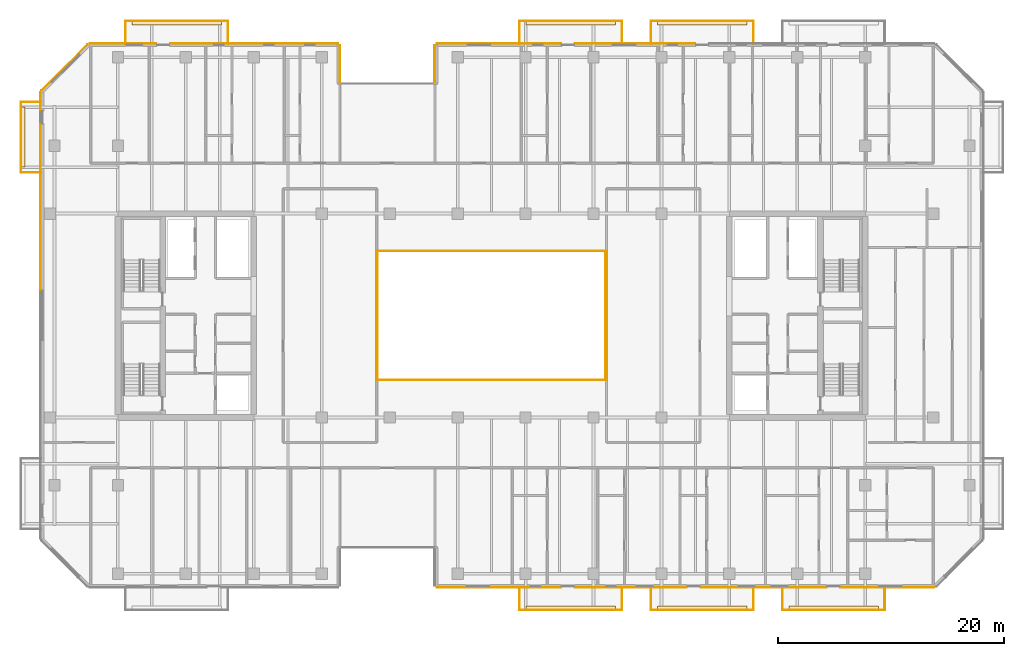
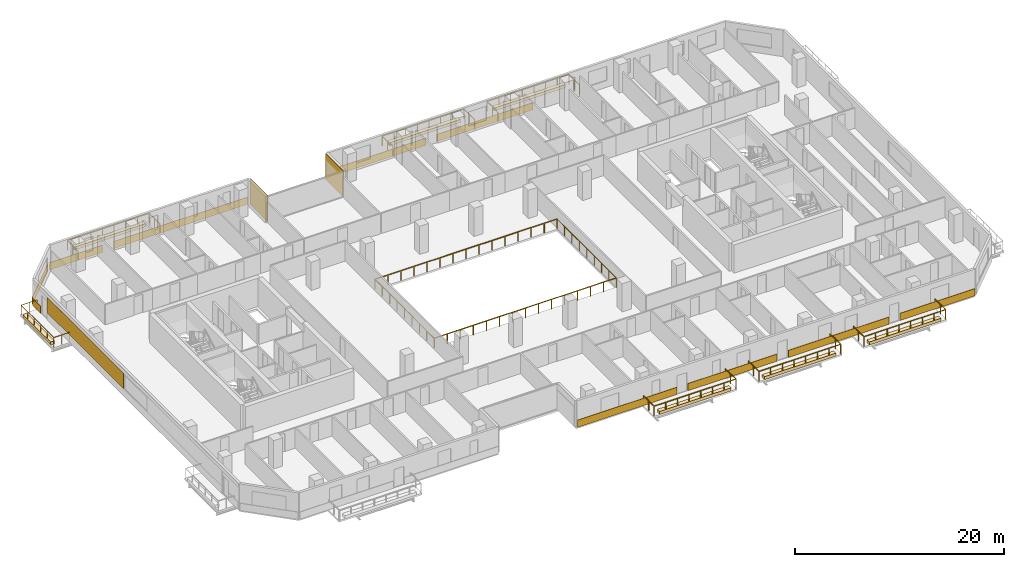
# One storey, part 21 of 23: 20 coverings, 9 railings.
"""IFC4 building model written with IfcOpenShell, lengths in metres."""

from ifc_helpers import new_model, si_unit, direction, frame, origin, origin_2d, place, context, subcontext, project, spatial, polyline, rectangle, outline, extrude, material, layer, layer_set, type_object, element, save


model = new_model("IFC4")

# Units and contexts
model_context = context("Model", 3, precision=1e-05, world=origin(), true_north=direction((0.0, 1.0)))
body_context = subcontext(model_context, "Body", "Model", "MODEL_VIEW")
ifc_project = project(units=[si_unit("LENGTHUNIT", "METRE"), si_unit("AREAUNIT", "SQUARE_METRE"), si_unit("VOLUMEUNIT", "CUBIC_METRE"), si_unit("PLANEANGLEUNIT", "RADIAN"), si_unit("MASSUNIT", "GRAM", prefix="KILO")], contexts=[model_context])

# Site, building, storey
site_placement = place(None, origin())
site = spatial("IfcSite", under=ifc_project, at=site_placement, CompositionType="ELEMENT")
building_placement = place(site_placement, origin())
building = spatial("IfcBuilding", under=site, at=building_placement, Name="Tanjung Sevakor Pilgrim Tower", CompositionType="ELEMENT")
storey_placement = place(building_placement, frame((0.0, 0.0, 101.969970703125)))
storey = spatial("IfcBuildingStorey", under=building, at=storey_placement, Name="L28", CompositionType="ELEMENT", Elevation=101.969970703125)

# Coverings
ifc_material_1 = material(Name="Reconstructed Limestone Cladding", Category="masonry")
ifc_layer_1 = layer(ifc_material_1, 0.044921875)
ifc_layer_set_1 = layer_set([ifc_layer_1], Name="COV-CLAD-LIMESTONE")
covering_type_1 = type_object("IfcCoveringType", Name="COV-CLAD-LIMESTONE", PredefinedType="CLADDING", material=ifc_layer_set_1)
covering_1_placement = place(storey_placement, frame((57.652587890625, 9.577392578125, 0.009765625), z_axis=(0.0, 0.0, 1.0), x_axis=(1.0, 0.0, 0.0)))
element("IfcCovering", 1, at=covering_1_placement, inside=storey, type_object=covering_type_1, Name="L28 Warm Limestone Sill Spandrel EW-L28-MAIN-5-1", PredefinedType="CLADDING", context=body_context, shape_type="SweptSolid", body=[
    extrude(rectangle(XDim=10.97509765625, YDim=0.044921875, at=origin_2d()), origin(), (0.0, 0.0, 1.0), 0.840087890625),
])
covering_2_placement = place(storey_placement, frame((69.300048828125, 9.577392578125, 0.009765625), z_axis=(0.0, 0.0, 1.0), x_axis=(1.0, 0.0, 0.0)))
element("IfcCovering", 2, at=covering_2_placement, inside=storey, type_object=covering_type_1, Name="L28 Warm Limestone Sill Spandrel EW-L28-MAIN-5-2", PredefinedType="CLADDING", context=body_context, shape_type="SweptSolid", body=[
    extrude(rectangle(XDim=9.8798828125, YDim=0.044921875, at=origin_2d()), origin(), (0.0, 0.0, 1.0), 0.840087890625),
])
covering_3_placement = place(storey_placement, frame((81.02490234375, 9.577392578125, 0.009765625), z_axis=(0.0, 0.0, 1.0), x_axis=(1.0, 0.0, 0.0)))
element("IfcCovering", 3, at=covering_3_placement, inside=storey, type_object=covering_type_1, Name="L28 Warm Limestone Sill Spandrel EW-L28-MAIN-5-3", PredefinedType="CLADDING", context=body_context, shape_type="SweptSolid", body=[
    extrude(rectangle(XDim=11.1298828125, YDim=0.044921875, at=origin_2d()), origin(), (0.0, 0.0, 1.0), 0.840087890625),
])
covering_4_placement = place(storey_placement, frame((91.958984375, 9.577392578125, 0.009765625), z_axis=(0.0, 0.0, 1.0), x_axis=(1.0, 0.0, 0.0)))
element("IfcCovering", 4, at=covering_4_placement, inside=storey, type_object=covering_type_1, Name="L28 Warm Limestone Sill Spandrel EW-L28-MAIN-5-4", PredefinedType="CLADDING", context=body_context, shape_type="SweptSolid", body=[
    extrude(rectangle(XDim=8.298095703125, YDim=0.044921875, at=origin_2d()), origin(), (0.0, 0.0, 1.0), 0.840087890625),
])
covering_5_placement = place(storey_placement, frame((69.675048828125, 57.62255859375, 0.009765625), z_axis=(0.0, 0.0, 1.0), x_axis=(-1.0, 0.0, 0.0)))
element("IfcCovering", 5, at=covering_5_placement, inside=storey, type_object=covering_type_1, Name="L28 Warm Limestone Sill Spandrel EW-L28-MAIN-9-3", PredefinedType="CLADDING", context=body_context, shape_type="SweptSolid", body=[
    extrude(rectangle(XDim=10.6298828125, YDim=0.044921875, at=origin_2d()), origin(), (0.0, 0.0, 1.0), 0.840087890625),
])
covering_6_placement = place(storey_placement, frame((57.652587890625, 57.62255859375, 0.009765625), z_axis=(0.0, 0.0, 1.0), x_axis=(-1.0, 0.0, 0.0)))
element("IfcCovering", 6, at=covering_6_placement, inside=storey, type_object=covering_type_1, Name="L28 Warm Limestone Sill Spandrel EW-L28-MAIN-9-4", PredefinedType="CLADDING", context=body_context, shape_type="SweptSolid", body=[
    extrude(rectangle(XDim=10.97509765625, YDim=0.044921875, at=origin_2d()), origin(), (0.0, 0.0, 1.0), 0.840087890625),
])
for number, where, z_axis, x_axis, name in (
    (7, (51.9775390625, 55.77490234375, 0.02001953125), (0.0, 0.0, 1.0), (0.0, -1.0, 0.0), "L28 Warm Limestone Wall Cladding EW-L28-MAIN-10"),
    (8, (43.62255859375, 55.77490234375, 0.02001953125), (0.0, 0.0, 1.0), (0.0, 1.0, 0.0), "L28 Warm Limestone Wall Cladding EW-L28-MAIN-12"),
):
    element("IfcCovering", number, at=place(storey_placement, frame(where, z_axis=z_axis, x_axis=x_axis)), inside=storey, type_object=covering_type_1, Name=name, PredefinedType="CLADDING", context=body_context, shape_type="SweptSolid", body=[
        extrude(rectangle(XDim=3.360107421875, YDim=0.044921875, at=origin_2d()), origin(), (0.0, 0.0, 1.0), 3.0400390625),
    ])
covering_7_placement = place(storey_placement, frame((36.0224609375, 57.62255859375, 0.009765625), z_axis=(0.0, 0.0, 1.0), x_axis=(-1.0, 0.0, 0.0)))
element("IfcCovering", 9, at=covering_7_placement, inside=storey, type_object=covering_type_1, Name="L28 Warm Limestone Sill Spandrel EW-L28-MAIN-13-1", PredefinedType="CLADDING", context=body_context, shape_type="SweptSolid", body=[
    extrude(rectangle(XDim=14.824951171875, YDim=0.044921875, at=origin_2d()), origin(), (0.0, 0.0, 1.0), 0.840087890625),
])
covering_8_placement = place(storey_placement, frame((24.44091796875, 57.62255859375, 0.009765625), z_axis=(0.0, 0.0, 1.0), x_axis=(-1.0, 0.0, 0.0)))
element("IfcCovering", 10, at=covering_8_placement, inside=storey, type_object=covering_type_1, Name="L28 Warm Limestone Sill Spandrel EW-L28-MAIN-13-2", PredefinedType="CLADDING", context=body_context, shape_type="SweptSolid", body=[
    extrude(rectangle(XDim=5.898193359375, YDim=0.044921875, at=origin_2d()), origin(), (0.0, 0.0, 1.0), 0.840087890625),
])
covering_9_placement = place(storey_placement, frame((19.2841796875, 55.515869140625, 0.009765625), z_axis=(0.0, 0.0, 1.0), x_axis=(-0.707106781187, -0.707106781187, 0.0)))
element("IfcCovering", 11, at=covering_9_placement, inside=storey, type_object=covering_type_1, Name="L28 Warm Limestone Sill Spandrel EW-CHM-L28-MAIN-13-1", PredefinedType="CLADDING", context=body_context, shape_type="SweptSolid", body=[
    extrude(rectangle(XDim=5.756103515625, YDim=0.044921875, at=origin_2d()), origin(), (0.0, 0.0, 1.0), 0.840087890625),
])
covering_10_placement = place(storey_placement, frame((17.177490234375, 52.509033203125, 0.009765625), z_axis=(0.0, 0.0, 1.0), x_axis=(0.0, -1.0, 0.0)))
element("IfcCovering", 12, at=covering_10_placement, inside=storey, type_object=covering_type_1, Name="L28 Warm Limestone Sill Spandrel EW-L28-MAIN-15-1", PredefinedType="CLADDING", context=body_context, shape_type="SweptSolid", body=[
    extrude(rectangle(XDim=1.59814453125, YDim=0.044921875, at=origin_2d()), origin(), (0.0, 0.0, 1.0), 0.840087890625),
])
covering_11_placement = place(storey_placement, frame((17.177490234375, 43.175048828125, 0.85009765625), z_axis=(0.0, 0.0, 1.0), x_axis=(0.0, -1.0, 0.0)))
element("IfcCovering", 13, at=covering_11_placement, inside=storey, type_object=covering_type_1, Name="L28 Warm Limestone Pier Panel EW-L28-MAIN-15-1", PredefinedType="CLADDING", context=body_context, shape_type="SweptSolid", body=[
    extrude(rectangle(XDim=14.64990234375, YDim=0.044921875, at=origin_2d()), origin(), (0.0, 0.0, 1.0), 1.81005859375),
])
ifc_material_2 = material(Name="Vegetated Modular Planter Assembly", Category="organic")
ifc_layer_2 = layer(ifc_material_2, 0.35009765625)
ifc_layer_set_2 = layer_set([ifc_layer_2], Name="COV-GRN-TROUGH")
covering_type_2 = type_object("IfcCoveringType", Name="COV-GRN-TROUGH", PredefinedType="CLADDING", material=ifc_layer_set_2)
covering_12_placement = place(storey_placement, origin())
element("IfcCovering", 14, at=covering_12_placement, inside=storey, type_object=covering_type_2, Name="L28 Planted Landscape Hedge Trough BGRN-L28-MAIN-N1", PredefinedType="CLADDING", context=body_context, shape_type="SweptSolid", body=[
    extrude(outline(polyline([(25.25, 59.260009765625), (33.14990234375, 59.260009765625), (33.14990234375, 59.699951171875), (25.25, 59.699951171875), (25.25, 59.260009765625)])), origin(), (0.0, 0.0, 1.0), 0.35009765625),
])
covering_13_placement = place(storey_placement, origin())
element("IfcCovering", 15, at=covering_13_placement, inside=storey, type_object=covering_type_2, Name="L28 Planted Landscape Hedge Trough BGRN-L28-MAIN-S2", PredefinedType="CLADDING", context=body_context, shape_type="SweptSolid", body=[
    extrude(outline(polyline([(60.050048828125, 7.5), (67.949951171875, 7.5), (67.949951171875, 7.93994140625), (60.050048828125, 7.93994140625), (60.050048828125, 7.5)])), origin(), (0.0, 0.0, 1.0), 0.35009765625),
])
covering_14_placement = place(storey_placement, origin())
element("IfcCovering", 16, at=covering_14_placement, inside=storey, type_object=covering_type_2, Name="L28 Planted Landscape Hedge Trough BGRN-L28-MAIN-N2", PredefinedType="CLADDING", context=body_context, shape_type="SweptSolid", body=[
    extrude(outline(polyline([(60.050048828125, 59.260009765625), (67.949951171875, 59.260009765625), (67.949951171875, 59.699951171875), (60.050048828125, 59.699951171875), (60.050048828125, 59.260009765625)])), origin(), (0.0, 0.0, 1.0), 0.35009765625),
])
covering_15_placement = place(storey_placement, origin())
element("IfcCovering", 17, at=covering_15_placement, inside=storey, type_object=covering_type_2, Name="L28 Planted Landscape Hedge Trough BGRN-L28-MAIN-S3", PredefinedType="CLADDING", context=body_context, shape_type="SweptSolid", body=[
    extrude(outline(polyline([(71.64990234375, 7.5), (79.550048828125, 7.5), (79.550048828125, 7.93994140625), (71.64990234375, 7.93994140625), (71.64990234375, 7.5)])), origin(), (0.0, 0.0, 1.0), 0.35009765625),
])
covering_16_placement = place(storey_placement, origin())
element("IfcCovering", 18, at=covering_16_placement, inside=storey, type_object=covering_type_2, Name="L28 Planted Landscape Hedge Trough BGRN-L28-MAIN-N3", PredefinedType="CLADDING", context=body_context, shape_type="SweptSolid", body=[
    extrude(outline(polyline([(71.64990234375, 59.260009765625), (79.550048828125, 59.260009765625), (79.550048828125, 59.699951171875), (71.64990234375, 59.699951171875), (71.64990234375, 59.260009765625)])), origin(), (0.0, 0.0, 1.0), 0.35009765625),
])
covering_17_placement = place(storey_placement, origin())
element("IfcCovering", 19, at=covering_17_placement, inside=storey, type_object=covering_type_2, Name="L28 Planted Landscape Hedge Trough BGRN-L28-MAIN-S4", PredefinedType="CLADDING", context=body_context, shape_type="SweptSolid", body=[
    extrude(outline(polyline([(83.25, 7.5), (91.14990234375, 7.5), (91.14990234375, 7.93994140625), (83.25, 7.93994140625), (83.25, 7.5)])), origin(), (0.0, 0.0, 1.0), 0.35009765625),
])
covering_18_placement = place(storey_placement, origin())
element("IfcCovering", 20, at=covering_18_placement, inside=storey, type_object=covering_type_2, Name="L28 Planted Landscape Hedge Trough BGRN-L28-MAIN-W2", PredefinedType="CLADDING", context=body_context, shape_type="SweptSolid", body=[
    extrude(outline(polyline([(15.7900390625, 46.699951171875), (15.7900390625, 52.0), (15.35009765625, 52.0), (15.35009765625, 46.699951171875), (15.7900390625, 46.699951171875)])), origin(), (0.0, 0.0, 1.0), 0.35009765625),
])

# Railings
ifc_material_3 = material(Name="Laminated Glass and Aluminium", Category="aluminium")
railing_type = type_object("IfcRailingType", Name="RL-BAL-BALUST", PredefinedType="BALUSTRADE", material=ifc_material_3)
railing_1_placement = place(storey_placement, frame((46.919921875, 27.919921875, 0.0)))
element("IfcRailing", 21, at=railing_1_placement, inside=storey, type_object=railing_type, Name="L28 Void Opening Balustrade 1A", PredefinedType="BALUSTRADE", context=body_context, shape_type="SweptSolid", body=[
    extrude(rectangle(XDim=0.0479, YDim=0.0479), frame((0.0, 0.0, 1.1259765625), z_axis=(1.0, 0.0, 0.0), x_axis=(0.0, 1.0, 0.0)), (0.0, 0.0, 1.0), 20.16015625),
    extrude(rectangle(XDim=0.0479, YDim=0.0479), frame((20.16015625, 0.0, 1.1259765625), z_axis=(0.0, 1.0, 0.0), x_axis=(-1.0, 0.0, 0.0)), (0.0, 0.0, 1.0), 11.360107421875),
    extrude(rectangle(XDim=0.042, YDim=0.042), origin(), (0.0, 0.0, 1.0), 1.101806640625),
    extrude(rectangle(XDim=0.042, YDim=0.042), frame((1.43994140625, 0.0, 0.0)), (0.0, 0.0, 1.0), 1.101806640625),
    extrude(rectangle(XDim=0.042, YDim=0.042), frame((2.880126953125, 0.0, 0.0)), (0.0, 0.0, 1.0), 1.101806640625),
    extrude(rectangle(XDim=0.042, YDim=0.042), frame((4.320068359375, 0.0, 0.0)), (0.0, 0.0, 1.0), 1.101806640625),
    extrude(rectangle(XDim=0.042, YDim=0.042), frame((5.760009765625, 0.0, 0.0)), (0.0, 0.0, 1.0), 1.101806640625),
    extrude(rectangle(XDim=0.042, YDim=0.042), frame((7.199951171875, 0.0, 0.0)), (0.0, 0.0, 1.0), 1.101806640625),
    extrude(rectangle(XDim=0.042, YDim=0.042), frame((8.64013671875, 0.0, 0.0)), (0.0, 0.0, 1.0), 1.101806640625),
    extrude(rectangle(XDim=0.042, YDim=0.042), frame((10.080078125, 0.0, 0.0)), (0.0, 0.0, 1.0), 1.101806640625),
    extrude(rectangle(XDim=0.042, YDim=0.042), frame((11.52001953125, 0.0, 0.0)), (0.0, 0.0, 1.0), 1.101806640625),
    extrude(rectangle(XDim=0.042, YDim=0.042), frame((12.960205078125, 0.0, 0.0)), (0.0, 0.0, 1.0), 1.101806640625),
    extrude(rectangle(XDim=0.042, YDim=0.042), frame((14.400146484375, 0.0, 0.0)), (0.0, 0.0, 1.0), 1.101806640625),
    extrude(rectangle(XDim=0.042, YDim=0.042), frame((15.840087890625, 0.0, 0.0)), (0.0, 0.0, 1.0), 1.101806640625),
    extrude(rectangle(XDim=0.042, YDim=0.042), frame((17.280029296875, 0.0, 0.0)), (0.0, 0.0, 1.0), 1.101806640625),
    extrude(rectangle(XDim=0.042, YDim=0.042), frame((18.72021484375, 0.0, 0.0)), (0.0, 0.0, 1.0), 1.101806640625),
    extrude(rectangle(XDim=0.042, YDim=0.042), frame((20.16015625, 0.0, 0.0)), (0.0, 0.0, 1.0), 1.101806640625),
    extrude(rectangle(XDim=0.042, YDim=0.042), frame((20.16015625, 1.419921875, 0.0)), (0.0, 0.0, 1.0), 1.101806640625),
    extrude(rectangle(XDim=0.042, YDim=0.042), frame((20.16015625, 2.840087890625, 0.0)), (0.0, 0.0, 1.0), 1.101806640625),
    extrude(rectangle(XDim=0.042, YDim=0.042), frame((20.16015625, 4.260009765625, 0.0)), (0.0, 0.0, 1.0), 1.101806640625),
    extrude(rectangle(XDim=0.042, YDim=0.042), frame((20.16015625, 5.68017578125, 0.0)), (0.0, 0.0, 1.0), 1.101806640625),
    extrude(rectangle(XDim=0.042, YDim=0.042), frame((20.16015625, 7.10009765625, 0.0)), (0.0, 0.0, 1.0), 1.101806640625),
    extrude(rectangle(XDim=0.042, YDim=0.042), frame((20.16015625, 8.52001953125, 0.0)), (0.0, 0.0, 1.0), 1.101806640625),
    extrude(rectangle(XDim=0.042, YDim=0.042), frame((20.16015625, 9.940185546875, 0.0)), (0.0, 0.0, 1.0), 1.101806640625),
    extrude(rectangle(XDim=0.042, YDim=0.042), frame((20.16015625, 11.360107421875, 0.0)), (0.0, 0.0, 1.0), 1.101806640625),
])
railing_2_placement = place(storey_placement, frame((67.080078125, 39.280029296875, 0.0)))
element("IfcRailing", 22, at=railing_2_placement, inside=storey, type_object=railing_type, Name="L28 Void Opening Balustrade 1B", PredefinedType="BALUSTRADE", context=body_context, shape_type="SweptSolid", body=[
    extrude(rectangle(XDim=0.0479, YDim=0.0479), frame((0.0, 0.0, 1.1259765625), z_axis=(-1.0, 0.0, 0.0), x_axis=(0.0, -1.0, 0.0)), (0.0, 0.0, 1.0), 20.16015625),
    extrude(rectangle(XDim=0.0479, YDim=0.0479), frame((-20.16015625, 0.0, 1.1259765625), z_axis=(0.0, -1.0, 0.0), x_axis=(1.0, 0.0, 0.0)), (0.0, 0.0, 1.0), 11.360107421875),
    extrude(rectangle(XDim=0.042, YDim=0.042), origin(), (0.0, 0.0, 1.0), 1.101806640625),
    extrude(rectangle(XDim=0.042, YDim=0.042), frame((-1.43994140625, 0.0, 0.0)), (0.0, 0.0, 1.0), 1.101806640625),
    extrude(rectangle(XDim=0.042, YDim=0.042), frame((-2.880126953125, 0.0, 0.0)), (0.0, 0.0, 1.0), 1.101806640625),
    extrude(rectangle(XDim=0.042, YDim=0.042), frame((-4.320068359375, 0.0, 0.0)), (0.0, 0.0, 1.0), 1.101806640625),
    extrude(rectangle(XDim=0.042, YDim=0.042), frame((-5.760009765625, 0.0, 0.0)), (0.0, 0.0, 1.0), 1.101806640625),
    extrude(rectangle(XDim=0.042, YDim=0.042), frame((-7.199951171875, 0.0, 0.0)), (0.0, 0.0, 1.0), 1.101806640625),
    extrude(rectangle(XDim=0.042, YDim=0.042), frame((-8.64013671875, 0.0, 0.0)), (0.0, 0.0, 1.0), 1.101806640625),
    extrude(rectangle(XDim=0.042, YDim=0.042), frame((-10.080078125, 0.0, 0.0)), (0.0, 0.0, 1.0), 1.101806640625),
    extrude(rectangle(XDim=0.042, YDim=0.042), frame((-11.52001953125, 0.0, 0.0)), (0.0, 0.0, 1.0), 1.101806640625),
    extrude(rectangle(XDim=0.042, YDim=0.042), frame((-12.960205078125, 0.0, 0.0)), (0.0, 0.0, 1.0), 1.101806640625),
    extrude(rectangle(XDim=0.042, YDim=0.042), frame((-14.400146484375, 0.0, 0.0)), (0.0, 0.0, 1.0), 1.101806640625),
    extrude(rectangle(XDim=0.042, YDim=0.042), frame((-15.840087890625, 0.0, 0.0)), (0.0, 0.0, 1.0), 1.101806640625),
    extrude(rectangle(XDim=0.042, YDim=0.042), frame((-17.280029296875, 0.0, 0.0)), (0.0, 0.0, 1.0), 1.101806640625),
    extrude(rectangle(XDim=0.042, YDim=0.042), frame((-18.72021484375, 0.0, 0.0)), (0.0, 0.0, 1.0), 1.101806640625),
    extrude(rectangle(XDim=0.042, YDim=0.042), frame((-20.16015625, 0.0, 0.0)), (0.0, 0.0, 1.0), 1.101806640625),
    extrude(rectangle(XDim=0.042, YDim=0.042), frame((-20.16015625, -1.419921875, 0.0)), (0.0, 0.0, 1.0), 1.101806640625),
    extrude(rectangle(XDim=0.042, YDim=0.042), frame((-20.16015625, -2.840087890625, 0.0)), (0.0, 0.0, 1.0), 1.101806640625),
    extrude(rectangle(XDim=0.042, YDim=0.042), frame((-20.16015625, -4.260009765625, 0.0)), (0.0, 0.0, 1.0), 1.101806640625),
    extrude(rectangle(XDim=0.042, YDim=0.042), frame((-20.16015625, -5.68017578125, 0.0)), (0.0, 0.0, 1.0), 1.101806640625),
    extrude(rectangle(XDim=0.042, YDim=0.042), frame((-20.16015625, -7.10009765625, 0.0)), (0.0, 0.0, 1.0), 1.101806640625),
    extrude(rectangle(XDim=0.042, YDim=0.042), frame((-20.16015625, -8.52001953125, 0.0)), (0.0, 0.0, 1.0), 1.101806640625),
    extrude(rectangle(XDim=0.042, YDim=0.042), frame((-20.16015625, -9.940185546875, 0.0)), (0.0, 0.0, 1.0), 1.101806640625),
    extrude(rectangle(XDim=0.042, YDim=0.042), frame((-20.16015625, -11.360107421875, 0.0)), (0.0, 0.0, 1.0), 1.101806640625),
])
railing_3_placement = place(storey_placement, frame((24.679931640625, 57.60009765625, 0.0)))
element("IfcRailing", 23, at=railing_3_placement, inside=storey, type_object=railing_type, Name="L28 Loggia Balustrade MAIN-N1", PredefinedType="BALUSTRADE", context=body_context, shape_type="SweptSolid", body=[
    extrude(rectangle(XDim=0.0479, YDim=0.0479), frame((0.0, 0.0, 1.1259765625), z_axis=(0.0, 1.0, 0.0), x_axis=(-1.0, 0.0, 0.0)), (0.0, 0.0, 1.0), 2.02001953125),
    extrude(rectangle(XDim=0.0479, YDim=0.0479), frame((0.0, 2.02001953125, 1.1259765625), z_axis=(1.0, 0.0, 0.0), x_axis=(0.0, 1.0, 0.0)), (0.0, 0.0, 1.0), 9.0400390625),
    extrude(rectangle(XDim=0.0479, YDim=0.0479), frame((9.0400390625, 2.02001953125, 1.1259765625), z_axis=(0.0, -1.0, 0.0), x_axis=(1.0, 0.0, 0.0)), (0.0, 0.0, 1.0), 2.02001953125),
    extrude(rectangle(XDim=0.042, YDim=0.042), origin(), (0.0, 0.0, 1.0), 1.101806640625),
    extrude(rectangle(XDim=0.042, YDim=0.042), frame((0.0, 1.010009765625, 0.0)), (0.0, 0.0, 1.0), 1.101806640625),
    extrude(rectangle(XDim=0.042, YDim=0.042), frame((0.0, 2.02001953125, 0.0)), (0.0, 0.0, 1.0), 1.101806640625),
    extrude(rectangle(XDim=0.042, YDim=0.042), frame((1.29150390625, 2.02001953125, 0.0)), (0.0, 0.0, 1.0), 1.101806640625),
    extrude(rectangle(XDim=0.042, YDim=0.042), frame((2.582763671875, 2.02001953125, 0.0)), (0.0, 0.0, 1.0), 1.101806640625),
    extrude(rectangle(XDim=0.042, YDim=0.042), frame((3.874267578125, 2.02001953125, 0.0)), (0.0, 0.0, 1.0), 1.101806640625),
    extrude(rectangle(XDim=0.042, YDim=0.042), frame((5.165771484375, 2.02001953125, 0.0)), (0.0, 0.0, 1.0), 1.101806640625),
    extrude(rectangle(XDim=0.042, YDim=0.042), frame((6.457275390625, 2.02001953125, 0.0)), (0.0, 0.0, 1.0), 1.101806640625),
    extrude(rectangle(XDim=0.042, YDim=0.042), frame((7.74853515625, 2.02001953125, 0.0)), (0.0, 0.0, 1.0), 1.101806640625),
    extrude(rectangle(XDim=0.042, YDim=0.042), frame((9.0400390625, 2.02001953125, 0.0)), (0.0, 0.0, 1.0), 1.101806640625),
    extrude(rectangle(XDim=0.042, YDim=0.042), frame((9.0400390625, 1.010009765625, 0.0)), (0.0, 0.0, 1.0), 1.101806640625),
    extrude(rectangle(XDim=0.042, YDim=0.042), frame((9.0400390625, 0.0, 0.0)), (0.0, 0.0, 1.0), 1.101806640625),
])
railing_4_placement = place(storey_placement, frame((59.47998046875, 9.60009765625, 0.0)))
element("IfcRailing", 24, at=railing_4_placement, inside=storey, type_object=railing_type, Name="L28 Loggia Balustrade MAIN-S2", PredefinedType="BALUSTRADE", context=body_context, shape_type="SweptSolid", body=[
    extrude(rectangle(XDim=0.0479, YDim=0.0479), frame((0.0, 0.0, 1.1259765625), z_axis=(0.0, -1.0, 0.0), x_axis=(1.0, 0.0, 0.0)), (0.0, 0.0, 1.0), 2.02001953125),
    extrude(rectangle(XDim=0.0479, YDim=0.0479), frame((0.0, -2.02001953125, 1.1259765625), z_axis=(1.0, 0.0, 0.0), x_axis=(0.0, 1.0, 0.0)), (0.0, 0.0, 1.0), 9.0400390625),
    extrude(rectangle(XDim=0.0479, YDim=0.0479), frame((9.0400390625, -2.02001953125, 1.1259765625), z_axis=(0.0, 1.0, 0.0), x_axis=(-1.0, 0.0, 0.0)), (0.0, 0.0, 1.0), 2.02001953125),
    extrude(rectangle(XDim=0.042, YDim=0.042), origin(), (0.0, 0.0, 1.0), 1.101806640625),
    extrude(rectangle(XDim=0.042, YDim=0.042), frame((0.0, -1.010009765625, 0.0)), (0.0, 0.0, 1.0), 1.101806640625),
    extrude(rectangle(XDim=0.042, YDim=0.042), frame((0.0, -2.02001953125, 0.0)), (0.0, 0.0, 1.0), 1.101806640625),
    extrude(rectangle(XDim=0.042, YDim=0.042), frame((1.29150390625, -2.02001953125, 0.0)), (0.0, 0.0, 1.0), 1.101806640625),
    extrude(rectangle(XDim=0.042, YDim=0.042), frame((2.582763671875, -2.02001953125, 0.0)), (0.0, 0.0, 1.0), 1.101806640625),
    extrude(rectangle(XDim=0.042, YDim=0.042), frame((3.874267578125, -2.02001953125, 0.0)), (0.0, 0.0, 1.0), 1.101806640625),
    extrude(rectangle(XDim=0.042, YDim=0.042), frame((5.165771484375, -2.02001953125, 0.0)), (0.0, 0.0, 1.0), 1.101806640625),
    extrude(rectangle(XDim=0.042, YDim=0.042), frame((6.457275390625, -2.02001953125, 0.0)), (0.0, 0.0, 1.0), 1.101806640625),
    extrude(rectangle(XDim=0.042, YDim=0.042), frame((7.74853515625, -2.02001953125, 0.0)), (0.0, 0.0, 1.0), 1.101806640625),
    extrude(rectangle(XDim=0.042, YDim=0.042), frame((9.0400390625, -2.02001953125, 0.0)), (0.0, 0.0, 1.0), 1.101806640625),
    extrude(rectangle(XDim=0.042, YDim=0.042), frame((9.0400390625, -1.010009765625, 0.0)), (0.0, 0.0, 1.0), 1.101806640625),
    extrude(rectangle(XDim=0.042, YDim=0.042), frame((9.0400390625, 0.0, 0.0)), (0.0, 0.0, 1.0), 1.101806640625),
])
railing_5_placement = place(storey_placement, frame((59.47998046875, 57.60009765625, 0.0)))
element("IfcRailing", 25, at=railing_5_placement, inside=storey, type_object=railing_type, Name="L28 Loggia Balustrade MAIN-N2", PredefinedType="BALUSTRADE", context=body_context, shape_type="SweptSolid", body=[
    extrude(rectangle(XDim=0.0479, YDim=0.0479), frame((0.0, 0.0, 1.1259765625), z_axis=(0.0, 1.0, 0.0), x_axis=(-1.0, 0.0, 0.0)), (0.0, 0.0, 1.0), 2.02001953125),
    extrude(rectangle(XDim=0.0479, YDim=0.0479), frame((0.0, 2.02001953125, 1.1259765625), z_axis=(1.0, 0.0, 0.0), x_axis=(0.0, 1.0, 0.0)), (0.0, 0.0, 1.0), 9.0400390625),
    extrude(rectangle(XDim=0.0479, YDim=0.0479), frame((9.0400390625, 2.02001953125, 1.1259765625), z_axis=(0.0, -1.0, 0.0), x_axis=(1.0, 0.0, 0.0)), (0.0, 0.0, 1.0), 2.02001953125),
    extrude(rectangle(XDim=0.042, YDim=0.042), origin(), (0.0, 0.0, 1.0), 1.101806640625),
    extrude(rectangle(XDim=0.042, YDim=0.042), frame((0.0, 1.010009765625, 0.0)), (0.0, 0.0, 1.0), 1.101806640625),
    extrude(rectangle(XDim=0.042, YDim=0.042), frame((0.0, 2.02001953125, 0.0)), (0.0, 0.0, 1.0), 1.101806640625),
    extrude(rectangle(XDim=0.042, YDim=0.042), frame((1.29150390625, 2.02001953125, 0.0)), (0.0, 0.0, 1.0), 1.101806640625),
    extrude(rectangle(XDim=0.042, YDim=0.042), frame((2.582763671875, 2.02001953125, 0.0)), (0.0, 0.0, 1.0), 1.101806640625),
    extrude(rectangle(XDim=0.042, YDim=0.042), frame((3.874267578125, 2.02001953125, 0.0)), (0.0, 0.0, 1.0), 1.101806640625),
    extrude(rectangle(XDim=0.042, YDim=0.042), frame((5.165771484375, 2.02001953125, 0.0)), (0.0, 0.0, 1.0), 1.101806640625),
    extrude(rectangle(XDim=0.042, YDim=0.042), frame((6.457275390625, 2.02001953125, 0.0)), (0.0, 0.0, 1.0), 1.101806640625),
    extrude(rectangle(XDim=0.042, YDim=0.042), frame((7.74853515625, 2.02001953125, 0.0)), (0.0, 0.0, 1.0), 1.101806640625),
    extrude(rectangle(XDim=0.042, YDim=0.042), frame((9.0400390625, 2.02001953125, 0.0)), (0.0, 0.0, 1.0), 1.101806640625),
    extrude(rectangle(XDim=0.042, YDim=0.042), frame((9.0400390625, 1.010009765625, 0.0)), (0.0, 0.0, 1.0), 1.101806640625),
    extrude(rectangle(XDim=0.042, YDim=0.042), frame((9.0400390625, 0.0, 0.0)), (0.0, 0.0, 1.0), 1.101806640625),
])
railing_6_placement = place(storey_placement, frame((71.080078125, 9.60009765625, 0.0)))
element("IfcRailing", 26, at=railing_6_placement, inside=storey, type_object=railing_type, Name="L28 Loggia Balustrade MAIN-S3", PredefinedType="BALUSTRADE", context=body_context, shape_type="SweptSolid", body=[
    extrude(rectangle(XDim=0.0479, YDim=0.0479), frame((0.0, 0.0, 1.1259765625), z_axis=(0.0, -1.0, 0.0), x_axis=(1.0, 0.0, 0.0)), (0.0, 0.0, 1.0), 2.02001953125),
    extrude(rectangle(XDim=0.0479, YDim=0.0479), frame((0.0, -2.02001953125, 1.1259765625), z_axis=(1.0, 0.0, 0.0), x_axis=(0.0, 1.0, 0.0)), (0.0, 0.0, 1.0), 9.0400390625),
    extrude(rectangle(XDim=0.0479, YDim=0.0479), frame((9.0400390625, -2.02001953125, 1.1259765625), z_axis=(0.0, 1.0, 0.0), x_axis=(-1.0, 0.0, 0.0)), (0.0, 0.0, 1.0), 2.02001953125),
    extrude(rectangle(XDim=0.042, YDim=0.042), origin(), (0.0, 0.0, 1.0), 1.101806640625),
    extrude(rectangle(XDim=0.042, YDim=0.042), frame((0.0, -1.010009765625, 0.0)), (0.0, 0.0, 1.0), 1.101806640625),
    extrude(rectangle(XDim=0.042, YDim=0.042), frame((0.0, -2.02001953125, 0.0)), (0.0, 0.0, 1.0), 1.101806640625),
    extrude(rectangle(XDim=0.042, YDim=0.042), frame((1.29150390625, -2.02001953125, 0.0)), (0.0, 0.0, 1.0), 1.101806640625),
    extrude(rectangle(XDim=0.042, YDim=0.042), frame((2.582763671875, -2.02001953125, 0.0)), (0.0, 0.0, 1.0), 1.101806640625),
    extrude(rectangle(XDim=0.042, YDim=0.042), frame((3.874267578125, -2.02001953125, 0.0)), (0.0, 0.0, 1.0), 1.101806640625),
    extrude(rectangle(XDim=0.042, YDim=0.042), frame((5.165771484375, -2.02001953125, 0.0)), (0.0, 0.0, 1.0), 1.101806640625),
    extrude(rectangle(XDim=0.042, YDim=0.042), frame((6.457275390625, -2.02001953125, 0.0)), (0.0, 0.0, 1.0), 1.101806640625),
    extrude(rectangle(XDim=0.042, YDim=0.042), frame((7.74853515625, -2.02001953125, 0.0)), (0.0, 0.0, 1.0), 1.101806640625),
    extrude(rectangle(XDim=0.042, YDim=0.042), frame((9.0400390625, -2.02001953125, 0.0)), (0.0, 0.0, 1.0), 1.101806640625),
    extrude(rectangle(XDim=0.042, YDim=0.042), frame((9.0400390625, -1.010009765625, 0.0)), (0.0, 0.0, 1.0), 1.101806640625),
    extrude(rectangle(XDim=0.042, YDim=0.042), frame((9.0400390625, 0.0, 0.0)), (0.0, 0.0, 1.0), 1.101806640625),
])
railing_7_placement = place(storey_placement, frame((71.080078125, 57.60009765625, 0.0)))
element("IfcRailing", 27, at=railing_7_placement, inside=storey, type_object=railing_type, Name="L28 Loggia Balustrade MAIN-N3", PredefinedType="BALUSTRADE", context=body_context, shape_type="SweptSolid", body=[
    extrude(rectangle(XDim=0.0479, YDim=0.0479), frame((0.0, 0.0, 1.1259765625), z_axis=(0.0, 1.0, 0.0), x_axis=(-1.0, 0.0, 0.0)), (0.0, 0.0, 1.0), 2.02001953125),
    extrude(rectangle(XDim=0.0479, YDim=0.0479), frame((0.0, 2.02001953125, 1.1259765625), z_axis=(1.0, 0.0, 0.0), x_axis=(0.0, 1.0, 0.0)), (0.0, 0.0, 1.0), 9.0400390625),
    extrude(rectangle(XDim=0.0479, YDim=0.0479), frame((9.0400390625, 2.02001953125, 1.1259765625), z_axis=(0.0, -1.0, 0.0), x_axis=(1.0, 0.0, 0.0)), (0.0, 0.0, 1.0), 2.02001953125),
    extrude(rectangle(XDim=0.042, YDim=0.042), origin(), (0.0, 0.0, 1.0), 1.101806640625),
    extrude(rectangle(XDim=0.042, YDim=0.042), frame((0.0, 1.010009765625, 0.0)), (0.0, 0.0, 1.0), 1.101806640625),
    extrude(rectangle(XDim=0.042, YDim=0.042), frame((0.0, 2.02001953125, 0.0)), (0.0, 0.0, 1.0), 1.101806640625),
    extrude(rectangle(XDim=0.042, YDim=0.042), frame((1.29150390625, 2.02001953125, 0.0)), (0.0, 0.0, 1.0), 1.101806640625),
    extrude(rectangle(XDim=0.042, YDim=0.042), frame((2.582763671875, 2.02001953125, 0.0)), (0.0, 0.0, 1.0), 1.101806640625),
    extrude(rectangle(XDim=0.042, YDim=0.042), frame((3.874267578125, 2.02001953125, 0.0)), (0.0, 0.0, 1.0), 1.101806640625),
    extrude(rectangle(XDim=0.042, YDim=0.042), frame((5.165771484375, 2.02001953125, 0.0)), (0.0, 0.0, 1.0), 1.101806640625),
    extrude(rectangle(XDim=0.042, YDim=0.042), frame((6.457275390625, 2.02001953125, 0.0)), (0.0, 0.0, 1.0), 1.101806640625),
    extrude(rectangle(XDim=0.042, YDim=0.042), frame((7.74853515625, 2.02001953125, 0.0)), (0.0, 0.0, 1.0), 1.101806640625),
    extrude(rectangle(XDim=0.042, YDim=0.042), frame((9.0400390625, 2.02001953125, 0.0)), (0.0, 0.0, 1.0), 1.101806640625),
    extrude(rectangle(XDim=0.042, YDim=0.042), frame((9.0400390625, 1.010009765625, 0.0)), (0.0, 0.0, 1.0), 1.101806640625),
    extrude(rectangle(XDim=0.042, YDim=0.042), frame((9.0400390625, 0.0, 0.0)), (0.0, 0.0, 1.0), 1.101806640625),
])
railing_8_placement = place(storey_placement, frame((82.679931640625, 9.60009765625, 0.0)))
element("IfcRailing", 28, at=railing_8_placement, inside=storey, type_object=railing_type, Name="L28 Loggia Balustrade MAIN-S4", PredefinedType="BALUSTRADE", context=body_context, shape_type="SweptSolid", body=[
    extrude(rectangle(XDim=0.0479, YDim=0.0479), frame((0.0, 0.0, 1.1259765625), z_axis=(0.0, -1.0, 0.0), x_axis=(1.0, 0.0, 0.0)), (0.0, 0.0, 1.0), 2.02001953125),
    extrude(rectangle(XDim=0.0479, YDim=0.0479), frame((0.0, -2.02001953125, 1.1259765625), z_axis=(1.0, 0.0, 0.0), x_axis=(0.0, 1.0, 0.0)), (0.0, 0.0, 1.0), 9.0400390625),
    extrude(rectangle(XDim=0.0479, YDim=0.0479), frame((9.0400390625, -2.02001953125, 1.1259765625), z_axis=(0.0, 1.0, 0.0), x_axis=(-1.0, 0.0, 0.0)), (0.0, 0.0, 1.0), 2.02001953125),
    extrude(rectangle(XDim=0.042, YDim=0.042), origin(), (0.0, 0.0, 1.0), 1.101806640625),
    extrude(rectangle(XDim=0.042, YDim=0.042), frame((0.0, -1.010009765625, 0.0)), (0.0, 0.0, 1.0), 1.101806640625),
    extrude(rectangle(XDim=0.042, YDim=0.042), frame((0.0, -2.02001953125, 0.0)), (0.0, 0.0, 1.0), 1.101806640625),
    extrude(rectangle(XDim=0.042, YDim=0.042), frame((1.29150390625, -2.02001953125, 0.0)), (0.0, 0.0, 1.0), 1.101806640625),
    extrude(rectangle(XDim=0.042, YDim=0.042), frame((2.582763671875, -2.02001953125, 0.0)), (0.0, 0.0, 1.0), 1.101806640625),
    extrude(rectangle(XDim=0.042, YDim=0.042), frame((3.874267578125, -2.02001953125, 0.0)), (0.0, 0.0, 1.0), 1.101806640625),
    extrude(rectangle(XDim=0.042, YDim=0.042), frame((5.165771484375, -2.02001953125, 0.0)), (0.0, 0.0, 1.0), 1.101806640625),
    extrude(rectangle(XDim=0.042, YDim=0.042), frame((6.457275390625, -2.02001953125, 0.0)), (0.0, 0.0, 1.0), 1.101806640625),
    extrude(rectangle(XDim=0.042, YDim=0.042), frame((7.74853515625, -2.02001953125, 0.0)), (0.0, 0.0, 1.0), 1.101806640625),
    extrude(rectangle(XDim=0.042, YDim=0.042), frame((9.0400390625, -2.02001953125, 0.0)), (0.0, 0.0, 1.0), 1.101806640625),
    extrude(rectangle(XDim=0.042, YDim=0.042), frame((9.0400390625, -1.010009765625, 0.0)), (0.0, 0.0, 1.0), 1.101806640625),
    extrude(rectangle(XDim=0.042, YDim=0.042), frame((9.0400390625, 0.0, 0.0)), (0.0, 0.0, 1.0), 1.101806640625),
])
railing_9_placement = place(storey_placement, frame((17.199951171875, 46.22998046875, 0.0)))
element("IfcRailing", 29, at=railing_9_placement, inside=storey, type_object=railing_type, Name="L28 Loggia Balustrade MAIN-W2", PredefinedType="BALUSTRADE", context=body_context, shape_type="SweptSolid", body=[
    extrude(rectangle(XDim=0.0479, YDim=0.0479), frame((0.0, 0.0, 1.1259765625), z_axis=(-1.0, 0.0, 0.0), x_axis=(0.0, -1.0, 0.0)), (0.0, 0.0, 1.0), 1.77001953125),
    extrude(rectangle(XDim=0.0479, YDim=0.0479), frame((-1.77001953125, 0.0, 1.1259765625), z_axis=(0.0, 1.0, 0.0), x_axis=(-1.0, 0.0, 0.0)), (0.0, 0.0, 1.0), 6.239990234375),
    extrude(rectangle(XDim=0.0479, YDim=0.0479), frame((-1.77001953125, 6.239990234375, 1.1259765625), z_axis=(1.0, 0.0, 0.0), x_axis=(0.0, 1.0, 0.0)), (0.0, 0.0, 1.0), 1.77001953125),
    extrude(rectangle(XDim=0.042, YDim=0.042), origin(), (0.0, 0.0, 1.0), 1.101806640625),
    extrude(rectangle(XDim=0.042, YDim=0.042), frame((-0.885009765625, 0.0, 0.0)), (0.0, 0.0, 1.0), 1.101806640625),
    extrude(rectangle(XDim=0.042, YDim=0.042), frame((-1.77001953125, 0.0, 0.0)), (0.0, 0.0, 1.0), 1.101806640625),
    extrude(rectangle(XDim=0.042, YDim=0.042), frame((-1.77001953125, 1.248046875, 0.0)), (0.0, 0.0, 1.0), 1.101806640625),
    extrude(rectangle(XDim=0.042, YDim=0.042), frame((-1.77001953125, 2.49609375, 0.0)), (0.0, 0.0, 1.0), 1.101806640625),
    extrude(rectangle(XDim=0.042, YDim=0.042), frame((-1.77001953125, 3.743896484375, 0.0)), (0.0, 0.0, 1.0), 1.101806640625),
    extrude(rectangle(XDim=0.042, YDim=0.042), frame((-1.77001953125, 4.991943359375, 0.0)), (0.0, 0.0, 1.0), 1.101806640625),
    extrude(rectangle(XDim=0.042, YDim=0.042), frame((-1.77001953125, 6.239990234375, 0.0)), (0.0, 0.0, 1.0), 1.101806640625),
    extrude(rectangle(XDim=0.042, YDim=0.042), frame((-0.885009765625, 6.239990234375, 0.0)), (0.0, 0.0, 1.0), 1.101806640625),
    extrude(rectangle(XDim=0.042, YDim=0.042), frame((0.0, 6.239990234375, 0.0)), (0.0, 0.0, 1.0), 1.101806640625),
])

save(model, "model.ifc")
